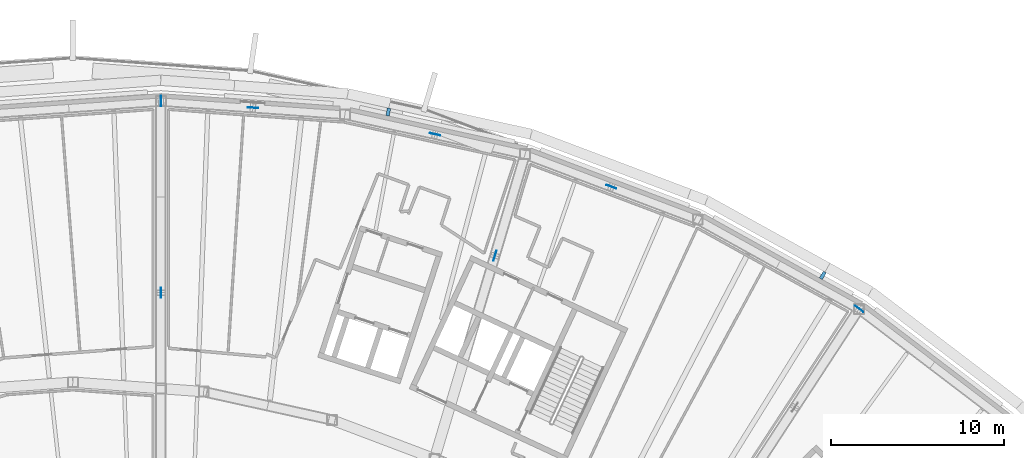
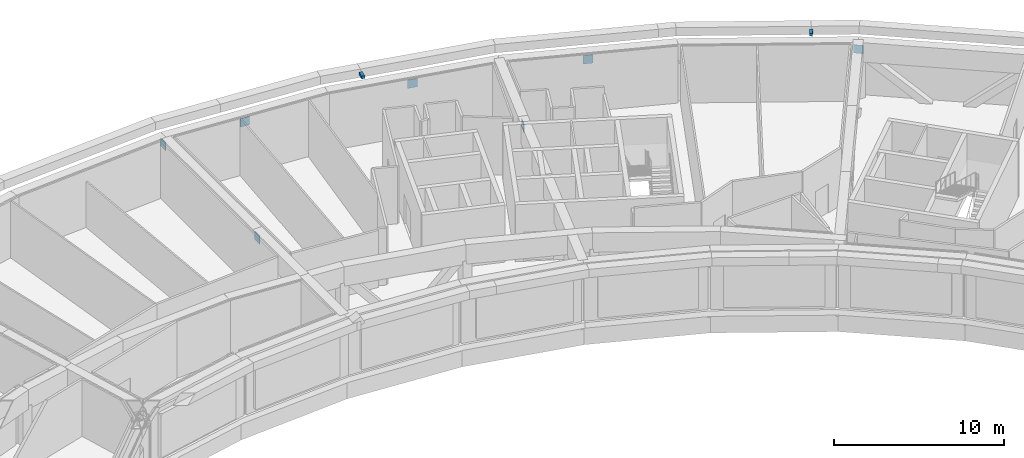
# One storey, part 19 of 24: 9 discrete accessories.
"""IFC4 building model written with IfcOpenShell, lengths in metres."""

from ifc_helpers import new_model, si_unit, direction, frame, origin, origin_2d, place, context, subcontext, project, spatial, rectangle, extrude, material, type_object, element, save


model = new_model("IFC4")

# Units and contexts
model_context = context("Model", 3, precision=1e-05, world=origin(), true_north=direction((0.0, 1.0)))
body_context = subcontext(model_context, "Body", "Model", "MODEL_VIEW")
ifc_project = project(units=[si_unit("LENGTHUNIT", "METRE"), si_unit("AREAUNIT", "SQUARE_METRE"), si_unit("VOLUMEUNIT", "CUBIC_METRE"), si_unit("PLANEANGLEUNIT", "RADIAN"), si_unit("MASSUNIT", "GRAM", prefix="KILO")], contexts=[model_context])

# Site, building, storey
site_placement = place(None, origin())
site = spatial("IfcSite", under=ifc_project, at=site_placement, CompositionType="ELEMENT")
building_placement = place(site_placement, origin())
building = spatial("IfcBuilding", under=site, at=building_placement, Name="Tuul Gate Civic Tower", CompositionType="ELEMENT")
storey_placement = place(building_placement, frame((0.0, 0.0, 243.89990234375)))
storey = spatial("IfcBuildingStorey", under=building, at=storey_placement, Name="Plant and refuge floor 6", CompositionType="ELEMENT", Elevation=243.89990234375)

# Discrete accessories
ifc_material_1 = material(Name="Steel S355", Category="steel")
discrete_accessory_type_1 = type_object("IfcDiscreteAccessoryType", Name="Gusset plate", PredefinedType="BRACKET", material=ifc_material_1)
for number, where, z_axis, x_axis, name in (
    (1, (30.35986328125, 4.530517578125, 3.10302734375), (0.0, 0.0, 1.0), (0.285212112775, 0.958464423297, 0.0), "Gusset plate"),
    (2, (11.032958984375, 13.47607421875, 3.103271484375), (0.0, 0.0, 1.0), (0.0, -1.0, 0.0), "Gusset plate"),
    (3, (11.031005859375, 2.38525390625, 3.103271484375), (0.0, 0.0, 1.0), (0.0, 1.0, 0.0), "Gusset plate"),
    (4, (26.89404296875, 11.553955078125, 3.103271484375), (0.0, 0.0, 1.0), (0.976568946286, -0.215204770275, 0.0), "Gusset plate"),
    (5, (51.43310546875, 1.4521484375, 3.103271484375), (0.0, 0.0, 1.0), (0.79558433034, -0.605842861902, 0.0), "Gusset plate"),
    (6, (37.1015625, 8.5166015625, 3.103271484375), (0.0, 0.0, 1.0), (0.935344056956, -0.35373930389, 0.0), "Gusset plate"),
    (7, (16.35546875, 13.08837890625, 3.103271484375), (0.0, 0.0, 1.0), (0.997389294483, -0.072212154455, 0.0), "Gusset plate"),
):
    element("IfcDiscreteAccessory", number, at=place(storey_placement, frame(where, z_axis=z_axis, x_axis=x_axis)), inside=storey, type_object=discrete_accessory_type_1, Name=name, PredefinedType="BRACKET", context=body_context, shape_type="SweptSolid", body=[
        extrude(rectangle(XDim=0.60009765625, YDim=0.030029296875, at=origin_2d()), origin(), (0.0, 0.0, 1.0), 0.60009765625),
    ])
ifc_material_2 = material(Name="Stainless steel", Category="steel")
discrete_accessory_type_2 = type_object("IfcDiscreteAccessoryType", Name="Screen bracket", PredefinedType="BRACKET", material=ifc_material_2)
for number, where, z_axis, x_axis, name in (
    (8, (49.32958984375, 3.38916015625, 4.05029296875), (0.0, 0.0, 1.0), (0.514574227406, 0.857445837642, 0.0), "Screen bracket 4"),
    (9, (24.1904296875, 12.840576171875, 4.05029296875), (0.0, 0.0, 1.0), (0.176789280139, 0.984248723864, 0.0), "Screen bracket 7"),
):
    element("IfcDiscreteAccessory", number, at=place(storey_placement, frame(where, z_axis=z_axis, x_axis=x_axis)), inside=storey, type_object=discrete_accessory_type_2, Name=name, PredefinedType="BRACKET", context=body_context, shape_type="SweptSolid", body=[
        extrude(rectangle(XDim=0.4501953125, YDim=0.199951171875, at=origin_2d()), origin(), (0.0, 0.0, 1.0), 0.199951171875),
    ])

save(model, "model.ifc")
